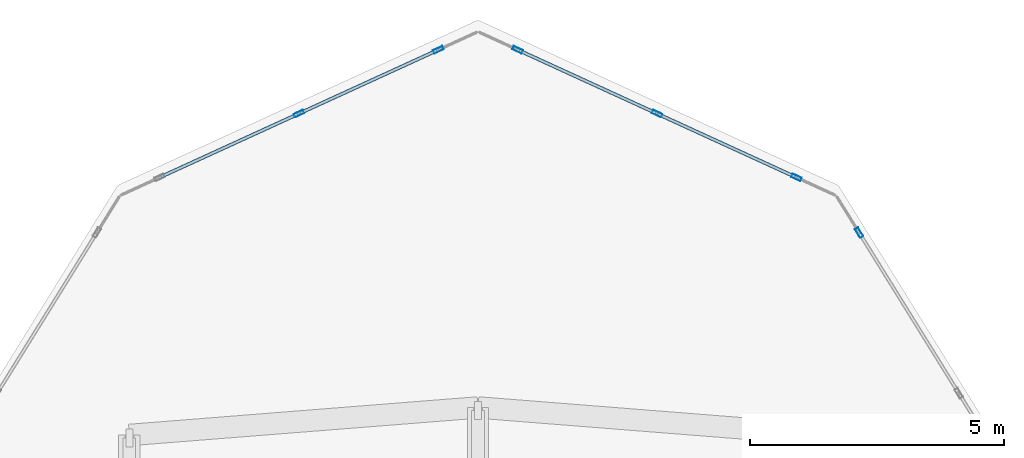
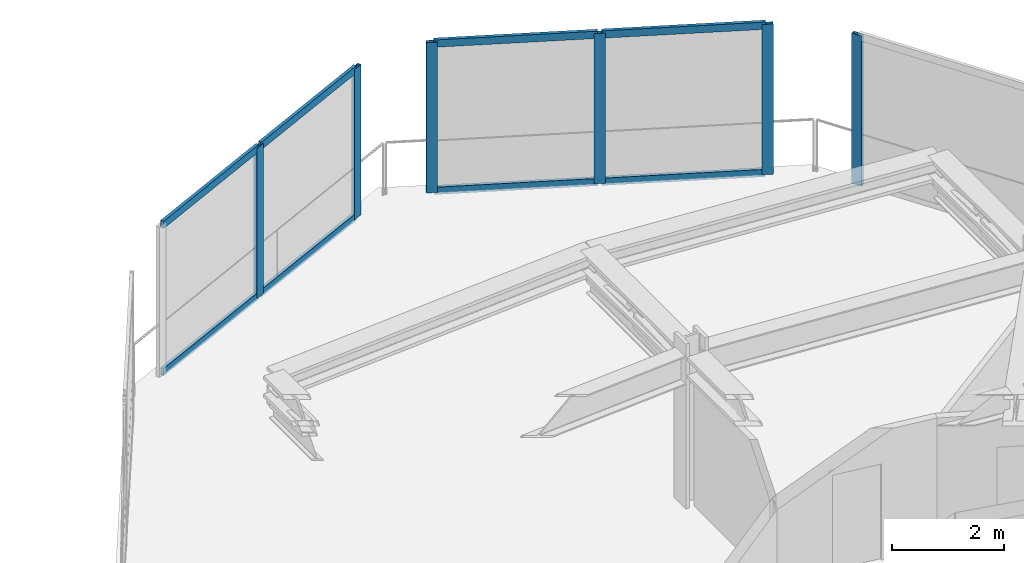
# One storey, part 15 of 24: 14 members, 3 elements without a shape of their own.
"""IFC4 building model written with IfcOpenShell, lengths in metres."""

from ifc_helpers import new_model, si_unit, direction, frame, origin, origin_2d, place, context, subcontext, project, spatial, hollow_rectangle, extrude, material, layer, layer_set, material_profile, profile_set, type_object, element, aggregate, save


model = new_model("IFC4")

# Units and contexts
model_context = context("Model", 3, precision=1e-05, world=origin(), true_north=direction((0.0, 1.0)))
body_context = subcontext(model_context, "Body", "Model", "MODEL_VIEW")
ifc_project = project(units=[si_unit("LENGTHUNIT", "METRE"), si_unit("AREAUNIT", "SQUARE_METRE"), si_unit("VOLUMEUNIT", "CUBIC_METRE"), si_unit("PLANEANGLEUNIT", "RADIAN"), si_unit("MASSUNIT", "GRAM", prefix="KILO")], contexts=[model_context])

# Site, building, storey
site_placement = place(None, origin())
site = spatial("IfcSite", under=ifc_project, at=site_placement, CompositionType="ELEMENT")
building_placement = place(site_placement, origin())
building = spatial("IfcBuilding", under=site, at=building_placement, Name="Solvane Sanctuary Tower", CompositionType="ELEMENT")
storey_placement = place(building_placement, frame((0.0, 0.0, 253.199951171875)))
storey = spatial("IfcBuildingStorey", under=building, at=storey_placement, Name="L77", CompositionType="ELEMENT", Elevation=253.199951171875)

# Curtain wall, member
ifc_material = material(Name="Anodised Aluminium 6063-T6", Category="aluminium")
ifc_layer = layer(ifc_material, 0.18994140625, Name="Anodised Aluminium 6063-T6")
ifc_layer_set = layer_set([ifc_layer], Name="Anodised Aluminium 6063-T6")
curtain_wall_type = type_object("IfcCurtainWallType", Name="Curtain Wall CW-OPER", PredefinedType="NOTDEFINED", material=ifc_layer_set)
curtain_wall_1_placement = place(storey_placement, origin())
curtain_wall_1 = element("IfcCurtainWall", 1, at=curtain_wall_1_placement, inside=storey, type_object=curtain_wall_type, Name="L77 CW-OPER Facade Run 04", PredefinedType="NOTDEFINED")
ifc_material_profile_1 = material_profile(ifc_material, hollow_rectangle(XDim=0.074951171875, YDim=0.199951171875, WallThickness=0.00390625, at=origin_2d()), Name="ALU200X75X4")
ifc_profile_set_1 = profile_set([ifc_material_profile_1], Name="Anodised Aluminium 6063-T6")
member_type_1 = type_object("IfcMemberType", Name="Member M-CW-MUL-1 ALU200X75X4", PredefinedType="MULLION", material=ifc_profile_set_1)
member_1_placement = place(storey_placement, frame((39.495361328125, 45.7177734375, 0.0), z_axis=(0.0, 0.0, 1.0), x_axis=(-0.849622273102, -0.527391688453, 0.0)))
member_1 = element("IfcMember", 2, at=member_1_placement, type_object=member_type_1, Name="CW-OPER mullion 3", PredefinedType="MULLION", context=body_context, shape_type="SweptSolid", body=[
    extrude(hollow_rectangle(XDim=0.074951171875, YDim=0.199951171875, WallThickness=0.00390625, at=origin_2d()), origin(), (0.0, 0.0, 1.0), 3.280029296875),
])
aggregate(curtain_wall_1, [member_1])

# Curtain wall, members
curtain_wall_2_placement = place(storey_placement, origin())
curtain_wall_2 = element("IfcCurtainWall", 3, at=curtain_wall_2_placement, inside=storey, type_object=curtain_wall_type, Name="L77 CW-OPER Facade Run 05", PredefinedType="NOTDEFINED")
member_2_placement = place(storey_placement, frame((38.26318359375, 46.80322265625, 0.0), z_axis=(0.0, 0.0, 1.0), x_axis=(-0.416224941032, -0.909261677661, 0.0)))
member_2 = element("IfcMember", 4, at=member_2_placement, type_object=member_type_1, Name="CW-OPER mullion 1", PredefinedType="MULLION", context=body_context, shape_type="SweptSolid", body=[
    extrude(hollow_rectangle(XDim=0.074951171875, YDim=0.199951171875, WallThickness=0.00390625, at=origin_2d()), origin(), (0.0, 0.0, 1.0), 3.280029296875),
])
member_3_placement = place(storey_placement, frame((35.521484375, 48.058349609375, 0.0), z_axis=(0.0, 0.0, 1.0), x_axis=(-0.416224941032, -0.909261677661, 0.0)))
member_3 = element("IfcMember", 5, at=member_3_placement, type_object=member_type_1, Name="CW-OPER mullion 2", PredefinedType="MULLION", context=body_context, shape_type="SweptSolid", body=[
    extrude(hollow_rectangle(XDim=0.074951171875, YDim=0.199951171875, WallThickness=0.00390625, at=origin_2d()), origin(), (0.0, 0.0, 1.0), 3.280029296875),
])
member_4_placement = place(storey_placement, frame((32.77978515625, 49.3134765625, 0.0), z_axis=(0.0, 0.0, 1.0), x_axis=(-0.416224941032, -0.909261677661, 0.0)))
member_4 = element("IfcMember", 6, at=member_4_placement, type_object=member_type_1, Name="CW-OPER mullion 3", PredefinedType="MULLION", context=body_context, shape_type="SweptSolid", body=[
    extrude(hollow_rectangle(XDim=0.074951171875, YDim=0.199951171875, WallThickness=0.00390625, at=origin_2d()), origin(), (0.0, 0.0, 1.0), 3.280029296875),
])

curtain_wall_3_placement = place(storey_placement, origin())
curtain_wall_3 = element("IfcCurtainWall", 7, at=curtain_wall_3_placement, inside=storey, type_object=curtain_wall_type, Name="L77 CW-OPER Facade Run 06", PredefinedType="NOTDEFINED")
member_5_placement = place(storey_placement, frame((31.22021484375, 49.3134765625, 0.0), z_axis=(0.0, 0.0, 1.0), x_axis=(0.416224941032, -0.909261677661, 0.0)))
member_5 = element("IfcMember", 8, at=member_5_placement, type_object=member_type_1, Name="CW-OPER mullion 1", PredefinedType="MULLION", context=body_context, shape_type="SweptSolid", body=[
    extrude(hollow_rectangle(XDim=0.074951171875, YDim=0.199951171875, WallThickness=0.00390625, at=origin_2d()), origin(), (0.0, 0.0, 1.0), 3.280029296875),
])
member_6_placement = place(storey_placement, frame((28.478515625, 48.058349609375, 0.0), z_axis=(0.0, 0.0, 1.0), x_axis=(0.416224941032, -0.909261677661, 0.0)))
member_6 = element("IfcMember", 9, at=member_6_placement, type_object=member_type_1, Name="CW-OPER mullion 2", PredefinedType="MULLION", context=body_context, shape_type="SweptSolid", body=[
    extrude(hollow_rectangle(XDim=0.074951171875, YDim=0.199951171875, WallThickness=0.00390625, at=origin_2d()), origin(), (0.0, 0.0, 1.0), 3.280029296875),
])

# Member
ifc_material_profile_2 = material_profile(ifc_material, hollow_rectangle(XDim=0.06494140625, YDim=0.159912109375, WallThickness=0.00341796875, at=origin_2d()), Name="ALU160X65X3.5")
ifc_profile_set_2 = profile_set([ifc_material_profile_2], Name="Anodised Aluminium 6063-T6")
member_type_2 = type_object("IfcMemberType", Name="Member M-CW-TRN-1 ALU160X65X3.5", PredefinedType="USERDEFINED", material=ifc_profile_set_2)
member_7_placement = place(storey_placement, frame((38.229248046875, 46.81884765625, 0.032470703125), z_axis=(-0.90925996833, 0.41622867512, 0.0), x_axis=(-0.41622867512, -0.90925996833, 0.0)))
member_7 = element("IfcMember", 10, at=member_7_placement, type_object=member_type_2, Name="CW-OPER transom 1.1", ObjectType="TRANSOM", PredefinedType="USERDEFINED", context=body_context, shape_type="SweptSolid", body=[
    extrude(hollow_rectangle(XDim=0.06494140625, YDim=0.159912109375, WallThickness=0.00341796875, at=origin_2d()), origin(), (0.0, 0.0, 1.0), 2.9404296875),
])

member_8_placement = place(storey_placement, frame((38.229248046875, 46.81884765625, 3.24755859375), z_axis=(-0.90925996833, 0.41622867512, 0.0), x_axis=(-0.41622867512, -0.90925996833, 0.0)))
member_8 = element("IfcMember", 11, at=member_8_placement, type_object=member_type_2, Name="CW-OPER transom 1.2", ObjectType="TRANSOM", PredefinedType="USERDEFINED", context=body_context, shape_type="SweptSolid", body=[
    extrude(hollow_rectangle(XDim=0.06494140625, YDim=0.159912109375, WallThickness=0.00341796875, at=origin_2d()), origin(), (0.0, 0.0, 1.0), 2.9404296875),
])

member_9_placement = place(storey_placement, frame((35.4873046875, 48.073974609375, 0.032470703125), z_axis=(-0.90925996833, 0.41622867512, 0.0), x_axis=(-0.41622867512, -0.90925996833, 0.0)))
member_9 = element("IfcMember", 12, at=member_9_placement, type_object=member_type_2, Name="CW-OPER transom 2.1", ObjectType="TRANSOM", PredefinedType="USERDEFINED", context=body_context, shape_type="SweptSolid", body=[
    extrude(hollow_rectangle(XDim=0.06494140625, YDim=0.159912109375, WallThickness=0.00341796875, at=origin_2d()), origin(), (0.0, 0.0, 1.0), 2.9404296875),
])

member_10_placement = place(storey_placement, frame((35.4873046875, 48.073974609375, 3.24755859375), z_axis=(-0.90925996833, 0.41622867512, 0.0), x_axis=(-0.41622867512, -0.90925996833, 0.0)))
member_10 = element("IfcMember", 13, at=member_10_placement, type_object=member_type_2, Name="CW-OPER transom 2.2", ObjectType="TRANSOM", PredefinedType="USERDEFINED", context=body_context, shape_type="SweptSolid", body=[
    extrude(hollow_rectangle(XDim=0.06494140625, YDim=0.159912109375, WallThickness=0.00341796875, at=origin_2d()), origin(), (0.0, 0.0, 1.0), 2.9404296875),
])

aggregate(curtain_wall_2, [member_2, member_3, member_4, member_7, member_8, member_9, member_10])

member_11_placement = place(storey_placement, frame((31.186279296875, 49.2978515625, 0.032470703125), z_axis=(-0.90925996833, -0.41622867512, 0.0), x_axis=(0.41622867512, -0.90925996833, 0.0)))
member_11 = element("IfcMember", 14, at=member_11_placement, type_object=member_type_2, Name="CW-OPER transom 1.1", ObjectType="TRANSOM", PredefinedType="USERDEFINED", context=body_context, shape_type="SweptSolid", body=[
    extrude(hollow_rectangle(XDim=0.06494140625, YDim=0.159912109375, WallThickness=0.00341796875, at=origin_2d()), origin(), (0.0, 0.0, 1.0), 2.9404296875),
])

member_12_placement = place(storey_placement, frame((31.186279296875, 49.2978515625, 3.24755859375), z_axis=(-0.90925996833, -0.41622867512, 0.0), x_axis=(0.41622867512, -0.90925996833, 0.0)))
member_12 = element("IfcMember", 15, at=member_12_placement, type_object=member_type_2, Name="CW-OPER transom 1.2", ObjectType="TRANSOM", PredefinedType="USERDEFINED", context=body_context, shape_type="SweptSolid", body=[
    extrude(hollow_rectangle(XDim=0.06494140625, YDim=0.159912109375, WallThickness=0.00341796875, at=origin_2d()), origin(), (0.0, 0.0, 1.0), 2.9404296875),
])

member_13_placement = place(storey_placement, frame((28.4443359375, 48.042724609375, 0.032470703125), z_axis=(-0.90925996833, -0.41622867512, 0.0), x_axis=(0.41622867512, -0.90925996833, 0.0)))
member_13 = element("IfcMember", 16, at=member_13_placement, type_object=member_type_2, Name="CW-OPER transom 2.1", ObjectType="TRANSOM", PredefinedType="USERDEFINED", context=body_context, shape_type="SweptSolid", body=[
    extrude(hollow_rectangle(XDim=0.06494140625, YDim=0.159912109375, WallThickness=0.00341796875, at=origin_2d()), origin(), (0.0, 0.0, 1.0), 2.9404296875),
])

member_14_placement = place(storey_placement, frame((28.4443359375, 48.042724609375, 3.24755859375), z_axis=(-0.90925996833, -0.41622867512, 0.0), x_axis=(0.41622867512, -0.90925996833, 0.0)))
member_14 = element("IfcMember", 17, at=member_14_placement, type_object=member_type_2, Name="CW-OPER transom 2.2", ObjectType="TRANSOM", PredefinedType="USERDEFINED", context=body_context, shape_type="SweptSolid", body=[
    extrude(hollow_rectangle(XDim=0.06494140625, YDim=0.159912109375, WallThickness=0.00341796875, at=origin_2d()), origin(), (0.0, 0.0, 1.0), 2.9404296875),
])

aggregate(curtain_wall_3, [member_5, member_6, member_11, member_12, member_13, member_14])

save(model, "model.ifc")
